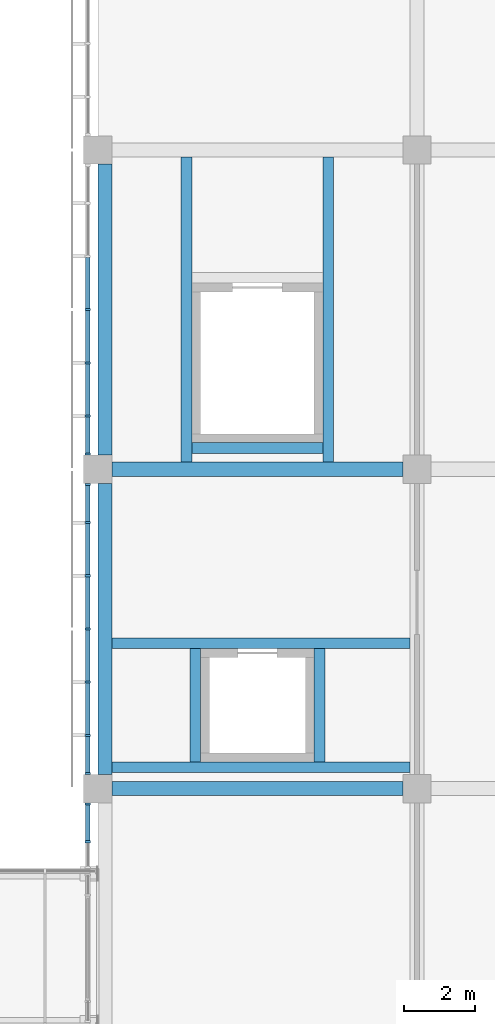
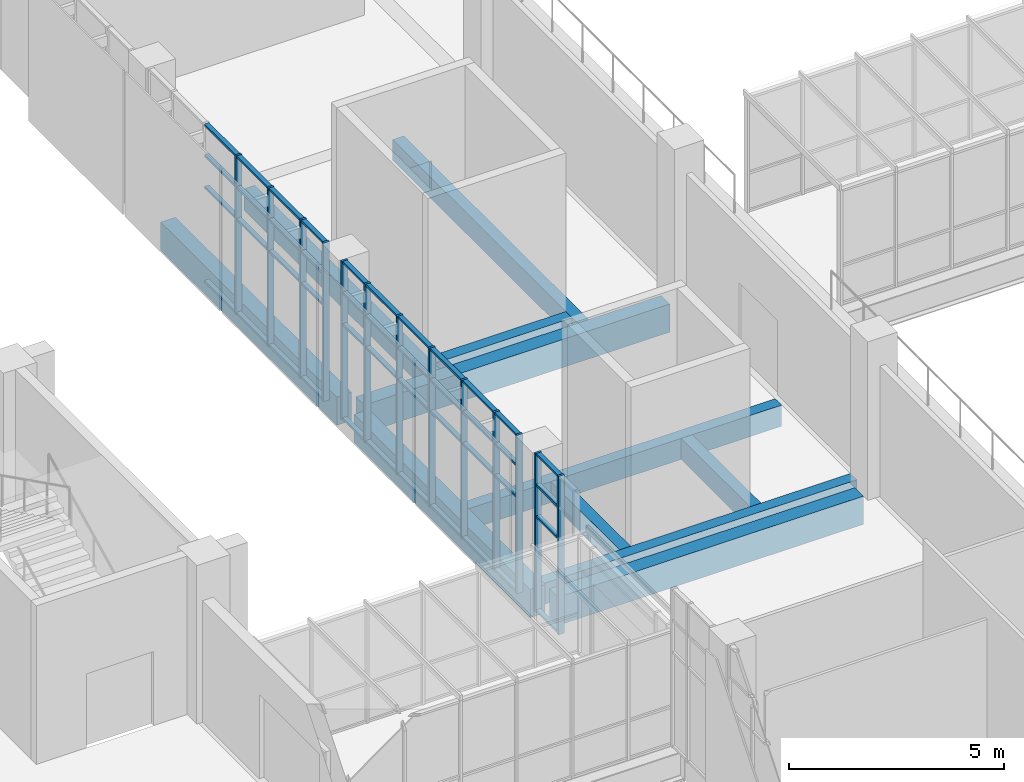
# One storey, part 19 of 88: 57 members, 11 beams, 3 elements without a shape of their own.
"""IFC4 building model written with IfcOpenShell, lengths in metres."""

from ifc_helpers import new_model, si_unit, direction, frame, origin, origin_2d, place, context, subcontext, project, spatial, rectangle, extrude, material, layer, layer_set, material_profile, profile_set, type_object, element, aggregate, save


model = new_model("IFC4")

# Units and contexts
model_context = context("Model", 3, precision=1e-05, world=origin(), true_north=direction((0.0, 1.0)))
body_context = subcontext(model_context, "Body", "Model", "MODEL_VIEW")
ifc_project = project(units=[si_unit("LENGTHUNIT", "METRE"), si_unit("AREAUNIT", "SQUARE_METRE"), si_unit("VOLUMEUNIT", "CUBIC_METRE"), si_unit("PLANEANGLEUNIT", "RADIAN"), si_unit("MASSUNIT", "GRAM", prefix="KILO")], contexts=[model_context])

# Site, building, storey
site_placement = place(None, origin())
site = spatial("IfcSite", under=ifc_project, at=site_placement, CompositionType="ELEMENT")
building_placement = place(site_placement, origin())
building = spatial("IfcBuilding", under=site, at=building_placement, Name="Guidao Yard Department Store", CompositionType="ELEMENT")
storey_placement = place(building_placement, frame((0.0, 0.0, 6.0)))
storey = spatial("IfcBuildingStorey", under=building, at=storey_placement, Name="L01", CompositionType="ELEMENT", Elevation=6.0)

# Beams
ifc_material_1 = material(Name="Concrete C40", Category="concrete")
ifc_material_profile_1 = material_profile(ifc_material_1, rectangle(XDim=0.39990234375, YDim=0.800048828125, at=origin_2d()), Name="Edge beam 400 x 800 C40")
ifc_profile_set_1 = profile_set([ifc_material_profile_1], Name="Concrete C40")
beam_type_1 = type_object("IfcBeamType", Name="Edge beam 400 x 800 C40", PredefinedType="BEAM", material=ifc_profile_set_1)
for number, where, z_axis, x_axis, name in (
    (1, (72.199951171875, 81.39990234375, -0.39990234375), (0.0, 1.0, 0.0), (-1.0, 0.0, 0.0), "Beam EB30"),
    (2, (72.199951171875, 90.39990234375, -0.39990234375), (0.0, 1.0, 0.0), (-1.0, 0.0, 0.0), "Beam EB31"),
    (3, (72.39990234375, 81.0, -0.39990234375), (1.0, 0.0, 0.0), (0.0, 1.0, 0.0), "Beam EB97"),
    (4, (72.39990234375, 90.0, -0.39990234375), (1.0, 0.0, 0.0), (0.0, 1.0, 0.0), "Beam EB98"),
):
    element("IfcBeam", number, at=place(storey_placement, frame(where, z_axis=z_axis, x_axis=x_axis)), inside=storey, type_object=beam_type_1, Name=name, PredefinedType="BEAM", context=body_context, shape_type="SweptSolid", body=[
        extrude(rectangle(XDim=0.39990234375, YDim=0.800048828125, at=origin_2d()), origin(), (0.0, 0.0, 1.0), 8.2001953125),
    ])

# Curtain wall, members
ifc_material_2 = material(Name="Aluminium and glass", Category="aluminium")
ifc_layer = layer(ifc_material_2, 0.159912109375)
ifc_layer_set = layer_set([ifc_layer], Name="Shopfront curtain wall CW1 1500 module")
curtain_wall_type = type_object("IfcCurtainWallType", Name="Shopfront curtain wall CW1 1500 module", PredefinedType="NOTDEFINED", material=ifc_layer_set)
curtain_wall_1_placement = place(storey_placement, origin())
curtain_wall_1 = element("IfcCurtainWall", 5, at=curtain_wall_1_placement, inside=storey, type_object=curtain_wall_type, Name="Arcade shop front", PredefinedType="NOTDEFINED")
ifc_material_3 = material(Name="Aluminium 6063-T5", Category="aluminium")
ifc_material_profile_2 = material_profile(ifc_material_3, rectangle(XDim=0.06005859375, YDim=0.159912109375, at=origin_2d()), Name="Mullion M1 60 x 160 aluminium pressure plate")
ifc_profile_set_2 = profile_set([ifc_material_profile_2], Name="Aluminium 6063-T5")
member_type_1 = type_object("IfcMemberType", Name="Mullion M1 60 x 160 aluminium pressure plate", PredefinedType="MULLION", material=ifc_profile_set_2)
member_1_placement = place(storey_placement, frame((71.719970703125, 79.5, 0.0), z_axis=(0.0, 0.0, 1.0), x_axis=(0.0, 1.0, 0.0)))
member_1 = element("IfcMember", 6, at=member_1_placement, type_object=member_type_1, Name="CW-AS-L01-08 mullion 2", PredefinedType="MULLION", context=body_context, shape_type="SweptSolid", body=[
    extrude(rectangle(XDim=0.06005859375, YDim=0.159912109375, at=origin_2d()), origin(), (0.0, 0.0, 1.0), 4.5),
])
member_2_placement = place(storey_placement, frame((71.719970703125, 80.570068359375, 0.0), z_axis=(0.0, 0.0, 1.0), x_axis=(0.0, 1.0, 0.0)))
member_2 = element("IfcMember", 7, at=member_2_placement, type_object=member_type_1, Name="CW-AS-L01-08 mullion 3", PredefinedType="MULLION", context=body_context, shape_type="SweptSolid", body=[
    extrude(rectangle(XDim=0.06005859375, YDim=0.159912109375, at=origin_2d()), origin(), (0.0, 0.0, 1.0), 4.5),
])

curtain_wall_2_placement = place(storey_placement, origin())
curtain_wall_2 = element("IfcCurtainWall", 8, at=curtain_wall_2_placement, inside=storey, type_object=curtain_wall_type, Name="Arcade shop front", PredefinedType="NOTDEFINED")
member_3_placement = place(storey_placement, frame((71.719970703125, 81.429931640625, 0.0), z_axis=(0.0, 0.0, 1.0), x_axis=(0.0, 1.0, 0.0)))
member_3 = element("IfcMember", 9, at=member_3_placement, type_object=member_type_1, Name="CW-AS-L01-09 mullion 1", PredefinedType="MULLION", context=body_context, shape_type="SweptSolid", body=[
    extrude(rectangle(XDim=0.06005859375, YDim=0.159912109375, at=origin_2d()), origin(), (0.0, 0.0, 1.0), 4.5),
])
member_4_placement = place(storey_placement, frame((71.719970703125, 82.5, 0.0), z_axis=(0.0, 0.0, 1.0), x_axis=(0.0, 1.0, 0.0)))
member_4 = element("IfcMember", 10, at=member_4_placement, type_object=member_type_1, Name="CW-AS-L01-09 mullion 2", PredefinedType="MULLION", context=body_context, shape_type="SweptSolid", body=[
    extrude(rectangle(XDim=0.06005859375, YDim=0.159912109375, at=origin_2d()), origin(), (0.0, 0.0, 1.0), 4.5),
])
member_5_placement = place(storey_placement, frame((71.719970703125, 84.0, 0.0), z_axis=(0.0, 0.0, 1.0), x_axis=(0.0, 1.0, 0.0)))
member_5 = element("IfcMember", 11, at=member_5_placement, type_object=member_type_1, Name="CW-AS-L01-09 mullion 3", PredefinedType="MULLION", context=body_context, shape_type="SweptSolid", body=[
    extrude(rectangle(XDim=0.06005859375, YDim=0.159912109375, at=origin_2d()), origin(), (0.0, 0.0, 1.0), 4.5),
])
member_6_placement = place(storey_placement, frame((71.719970703125, 85.5, 0.0), z_axis=(0.0, 0.0, 1.0), x_axis=(0.0, 1.0, 0.0)))
member_6 = element("IfcMember", 12, at=member_6_placement, type_object=member_type_1, Name="CW-AS-L01-09 mullion 4", PredefinedType="MULLION", context=body_context, shape_type="SweptSolid", body=[
    extrude(rectangle(XDim=0.06005859375, YDim=0.159912109375, at=origin_2d()), origin(), (0.0, 0.0, 1.0), 4.5),
])
member_7_placement = place(storey_placement, frame((71.719970703125, 87.0, 0.0), z_axis=(0.0, 0.0, 1.0), x_axis=(0.0, 1.0, 0.0)))
member_7 = element("IfcMember", 13, at=member_7_placement, type_object=member_type_1, Name="CW-AS-L01-09 mullion 5", PredefinedType="MULLION", context=body_context, shape_type="SweptSolid", body=[
    extrude(rectangle(XDim=0.06005859375, YDim=0.159912109375, at=origin_2d()), origin(), (0.0, 0.0, 1.0), 4.5),
])
member_8_placement = place(storey_placement, frame((71.719970703125, 88.5, 0.0), z_axis=(0.0, 0.0, 1.0), x_axis=(0.0, 1.0, 0.0)))
member_8 = element("IfcMember", 14, at=member_8_placement, type_object=member_type_1, Name="CW-AS-L01-09 mullion 6", PredefinedType="MULLION", context=body_context, shape_type="SweptSolid", body=[
    extrude(rectangle(XDim=0.06005859375, YDim=0.159912109375, at=origin_2d()), origin(), (0.0, 0.0, 1.0), 4.5),
])
member_9_placement = place(storey_placement, frame((71.719970703125, 89.570068359375, 0.0), z_axis=(0.0, 0.0, 1.0), x_axis=(0.0, 1.0, 0.0)))
member_9 = element("IfcMember", 15, at=member_9_placement, type_object=member_type_1, Name="CW-AS-L01-09 mullion 7", PredefinedType="MULLION", context=body_context, shape_type="SweptSolid", body=[
    extrude(rectangle(XDim=0.06005859375, YDim=0.159912109375, at=origin_2d()), origin(), (0.0, 0.0, 1.0), 4.5),
])

curtain_wall_3_placement = place(storey_placement, origin())
curtain_wall_3 = element("IfcCurtainWall", 16, at=curtain_wall_3_placement, inside=storey, type_object=curtain_wall_type, Name="Arcade shop front", PredefinedType="NOTDEFINED")
member_10_placement = place(storey_placement, frame((71.719970703125, 90.429931640625, 0.0), z_axis=(0.0, 0.0, 1.0), x_axis=(0.0, 1.0, 0.0)))
member_10 = element("IfcMember", 17, at=member_10_placement, type_object=member_type_1, Name="CW-AS-L01-10 mullion 1", PredefinedType="MULLION", context=body_context, shape_type="SweptSolid", body=[
    extrude(rectangle(XDim=0.06005859375, YDim=0.159912109375, at=origin_2d()), origin(), (0.0, 0.0, 1.0), 4.5),
])
member_11_placement = place(storey_placement, frame((71.719970703125, 91.5, 0.0), z_axis=(0.0, 0.0, 1.0), x_axis=(0.0, 1.0, 0.0)))
member_11 = element("IfcMember", 18, at=member_11_placement, type_object=member_type_1, Name="CW-AS-L01-10 mullion 2", PredefinedType="MULLION", context=body_context, shape_type="SweptSolid", body=[
    extrude(rectangle(XDim=0.06005859375, YDim=0.159912109375, at=origin_2d()), origin(), (0.0, 0.0, 1.0), 4.5),
])
member_12_placement = place(storey_placement, frame((71.719970703125, 93.0, 0.0), z_axis=(0.0, 0.0, 1.0), x_axis=(0.0, 1.0, 0.0)))
member_12 = element("IfcMember", 19, at=member_12_placement, type_object=member_type_1, Name="CW-AS-L01-10 mullion 3", PredefinedType="MULLION", context=body_context, shape_type="SweptSolid", body=[
    extrude(rectangle(XDim=0.06005859375, YDim=0.159912109375, at=origin_2d()), origin(), (0.0, 0.0, 1.0), 4.5),
])
member_13_placement = place(storey_placement, frame((71.719970703125, 94.5, 0.0), z_axis=(0.0, 0.0, 1.0), x_axis=(0.0, 1.0, 0.0)))
member_13 = element("IfcMember", 20, at=member_13_placement, type_object=member_type_1, Name="CW-AS-L01-10 mullion 4", PredefinedType="MULLION", context=body_context, shape_type="SweptSolid", body=[
    extrude(rectangle(XDim=0.06005859375, YDim=0.159912109375, at=origin_2d()), origin(), (0.0, 0.0, 1.0), 4.5),
])

# Beams
ifc_material_4 = material(Name="Concrete C40", Category="concrete")
ifc_material_profile_3 = material_profile(ifc_material_4, rectangle(XDim=0.300048828125, YDim=0.60009765625, at=origin_2d()), Name="Opening beam 300 x 600 C40")
ifc_profile_set_3 = profile_set([ifc_material_profile_3], Name="Concrete C40")
beam_type_2 = type_object("IfcBeamType", Name="Opening beam 300 x 600 C40", PredefinedType="BEAM", material=ifc_profile_set_3)
for number, where, z_axis, x_axis, name in (
    (21, (72.39990234375, 81.60009765625, -0.300048828125), (1.0, 0.0, 0.0), (0.0, 1.0, 0.0), "Beam OB17"),
    (22, (72.39990234375, 85.10009765625, -0.300048828125), (1.0, 0.0, 0.0), (0.0, 1.0, 0.0), "Beam OB18"),
):
    element("IfcBeam", number, at=place(storey_placement, frame(where, z_axis=z_axis, x_axis=x_axis)), inside=storey, type_object=beam_type_2, Name=name, PredefinedType="BEAM", context=body_context, shape_type="SweptSolid", body=[
        extrude(rectangle(XDim=0.300048828125, YDim=0.60009765625, at=origin_2d()), origin(), (0.0, 0.0, 1.0), 8.400146484375),
    ])
for number, where, z_axis, x_axis, name in (
    (23, (74.75, 81.75, -0.300048828125), (0.0, 1.0, 0.0), (-1.0, 0.0, 0.0), "Beam OB19"),
    (24, (78.25, 81.75, -0.300048828125), (0.0, 1.0, 0.0), (-1.0, 0.0, 0.0), "Beam OB20"),
):
    element("IfcBeam", number, at=place(storey_placement, frame(where, z_axis=z_axis, x_axis=x_axis)), inside=storey, type_object=beam_type_2, Name=name, PredefinedType="BEAM", context=body_context, shape_type="SweptSolid", body=[
        extrude(rectangle(XDim=0.300048828125, YDim=0.60009765625, at=origin_2d()), origin(), (0.0, 0.0, 1.0), 3.199951171875),
    ])
for number, where, z_axis, x_axis, name in (
    (25, (74.5, 90.199951171875, -0.300048828125), (0.0, 1.0, 0.0), (-1.0, 0.0, 0.0), "Beam OB21"),
    (26, (78.5, 90.199951171875, -0.300048828125), (0.0, 1.0, 0.0), (-1.0, 0.0, 0.0), "Beam OB22"),
):
    element("IfcBeam", number, at=place(storey_placement, frame(where, z_axis=z_axis, x_axis=x_axis)), inside=storey, type_object=beam_type_2, Name=name, PredefinedType="BEAM", context=body_context, shape_type="SweptSolid", body=[
        extrude(rectangle(XDim=0.300048828125, YDim=0.60009765625, at=origin_2d()), origin(), (0.0, 0.0, 1.0), 8.60009765625),
    ])
beam_placement = place(storey_placement, frame((74.64990234375, 90.60009765625, -0.300048828125), z_axis=(1.0, 0.0, 0.0), x_axis=(0.0, 1.0, 0.0)))
element("IfcBeam", 27, at=beam_placement, inside=storey, type_object=beam_type_2, Name="Beam OB23", PredefinedType="BEAM", context=body_context, shape_type="SweptSolid", body=[
    extrude(rectangle(XDim=0.300048828125, YDim=0.60009765625, at=origin_2d()), origin(), (0.0, 0.0, 1.0), 3.7001953125),
])

# Member
ifc_material_5 = material(Name="Aluminium 6063-T5", Category="aluminium")
ifc_material_profile_4 = material_profile(ifc_material_5, rectangle(XDim=0.1201171875, YDim=0.06005859375, at=origin_2d()), Name="Transom T1 60 x 120 aluminium pressure plate")
ifc_profile_set_4 = profile_set([ifc_material_profile_4], Name="Aluminium 6063-T5")
member_type_2 = type_object("IfcMemberType", Name="Transom T1 60 x 120 aluminium pressure plate", PredefinedType="USERDEFINED", material=ifc_profile_set_4)
member_14_placement = place(storey_placement, frame((71.719970703125, 79.530029296875, 0.030029296875), z_axis=(0.0, 1.0, 0.0), x_axis=(-1.0, 0.0, 0.0)))
member_14 = element("IfcMember", 28, at=member_14_placement, type_object=member_type_2, Name="CW-AS-L01-08 transom 2.1", ObjectType="TRANSOM", PredefinedType="USERDEFINED", context=body_context, shape_type="SweptSolid", body=[
    extrude(rectangle(XDim=0.1201171875, YDim=0.06005859375, at=origin_2d()), origin(), (0.0, 0.0, 1.0), 1.010009765625),
])

member_15_placement = place(storey_placement, frame((71.719970703125, 79.530029296875, 2.699951171875), z_axis=(0.0, 1.0, 0.0), x_axis=(-1.0, 0.0, 0.0)))
member_15 = element("IfcMember", 29, at=member_15_placement, type_object=member_type_2, Name="CW-AS-L01-08 transom 2.2", ObjectType="TRANSOM", PredefinedType="USERDEFINED", context=body_context, shape_type="SweptSolid", body=[
    extrude(rectangle(XDim=0.1201171875, YDim=0.06005859375, at=origin_2d()), origin(), (0.0, 0.0, 1.0), 1.010009765625),
])

member_16_placement = place(storey_placement, frame((71.719970703125, 79.530029296875, 3.60009765625), z_axis=(0.0, 1.0, 0.0), x_axis=(-1.0, 0.0, 0.0)))
member_16 = element("IfcMember", 30, at=member_16_placement, type_object=member_type_2, Name="CW-AS-L01-08 transom 2.3", ObjectType="TRANSOM", PredefinedType="USERDEFINED", context=body_context, shape_type="SweptSolid", body=[
    extrude(rectangle(XDim=0.1201171875, YDim=0.06005859375, at=origin_2d()), origin(), (0.0, 0.0, 1.0), 1.010009765625),
])

member_17_placement = place(storey_placement, frame((71.719970703125, 79.530029296875, 4.469970703125), z_axis=(0.0, 1.0, 0.0), x_axis=(-1.0, 0.0, 0.0)))
member_17 = element("IfcMember", 31, at=member_17_placement, type_object=member_type_2, Name="CW-AS-L01-08 transom 2.4", ObjectType="TRANSOM", PredefinedType="USERDEFINED", context=body_context, shape_type="SweptSolid", body=[
    extrude(rectangle(XDim=0.1201171875, YDim=0.06005859375, at=origin_2d()), origin(), (0.0, 0.0, 1.0), 1.010009765625),
])

aggregate(curtain_wall_1, [member_1, member_2, member_14, member_15, member_16, member_17])

member_18_placement = place(storey_placement, frame((71.719970703125, 81.4599609375, 0.030029296875), z_axis=(0.0, 1.0, 0.0), x_axis=(-1.0, 0.0, 0.0)))
member_18 = element("IfcMember", 32, at=member_18_placement, type_object=member_type_2, Name="CW-AS-L01-09 transom 1.1", ObjectType="TRANSOM", PredefinedType="USERDEFINED", context=body_context, shape_type="SweptSolid", body=[
    extrude(rectangle(XDim=0.1201171875, YDim=0.06005859375, at=origin_2d()), origin(), (0.0, 0.0, 1.0), 1.010009765625),
])

member_19_placement = place(storey_placement, frame((71.719970703125, 81.4599609375, 2.699951171875), z_axis=(0.0, 1.0, 0.0), x_axis=(-1.0, 0.0, 0.0)))
member_19 = element("IfcMember", 33, at=member_19_placement, type_object=member_type_2, Name="CW-AS-L01-09 transom 1.2", ObjectType="TRANSOM", PredefinedType="USERDEFINED", context=body_context, shape_type="SweptSolid", body=[
    extrude(rectangle(XDim=0.1201171875, YDim=0.06005859375, at=origin_2d()), origin(), (0.0, 0.0, 1.0), 1.010009765625),
])

member_20_placement = place(storey_placement, frame((71.719970703125, 81.4599609375, 3.60009765625), z_axis=(0.0, 1.0, 0.0), x_axis=(-1.0, 0.0, 0.0)))
member_20 = element("IfcMember", 34, at=member_20_placement, type_object=member_type_2, Name="CW-AS-L01-09 transom 1.3", ObjectType="TRANSOM", PredefinedType="USERDEFINED", context=body_context, shape_type="SweptSolid", body=[
    extrude(rectangle(XDim=0.1201171875, YDim=0.06005859375, at=origin_2d()), origin(), (0.0, 0.0, 1.0), 1.010009765625),
])

member_21_placement = place(storey_placement, frame((71.719970703125, 81.4599609375, 4.469970703125), z_axis=(0.0, 1.0, 0.0), x_axis=(-1.0, 0.0, 0.0)))
member_21 = element("IfcMember", 35, at=member_21_placement, type_object=member_type_2, Name="CW-AS-L01-09 transom 1.4", ObjectType="TRANSOM", PredefinedType="USERDEFINED", context=body_context, shape_type="SweptSolid", body=[
    extrude(rectangle(XDim=0.1201171875, YDim=0.06005859375, at=origin_2d()), origin(), (0.0, 0.0, 1.0), 1.010009765625),
])

member_22_placement = place(storey_placement, frame((71.719970703125, 82.530029296875, 0.030029296875), z_axis=(0.0, 1.0, 0.0), x_axis=(-1.0, 0.0, 0.0)))
member_22 = element("IfcMember", 36, at=member_22_placement, type_object=member_type_2, Name="CW-AS-L01-09 transom 2.1", ObjectType="TRANSOM", PredefinedType="USERDEFINED", context=body_context, shape_type="SweptSolid", body=[
    extrude(rectangle(XDim=0.1201171875, YDim=0.06005859375, at=origin_2d()), origin(), (0.0, 0.0, 1.0), 1.43994140625),
])

member_23_placement = place(storey_placement, frame((71.719970703125, 82.530029296875, 2.699951171875), z_axis=(0.0, 1.0, 0.0), x_axis=(-1.0, 0.0, 0.0)))
member_23 = element("IfcMember", 37, at=member_23_placement, type_object=member_type_2, Name="CW-AS-L01-09 transom 2.2", ObjectType="TRANSOM", PredefinedType="USERDEFINED", context=body_context, shape_type="SweptSolid", body=[
    extrude(rectangle(XDim=0.1201171875, YDim=0.06005859375, at=origin_2d()), origin(), (0.0, 0.0, 1.0), 1.43994140625),
])

member_24_placement = place(storey_placement, frame((71.719970703125, 82.530029296875, 3.60009765625), z_axis=(0.0, 1.0, 0.0), x_axis=(-1.0, 0.0, 0.0)))
member_24 = element("IfcMember", 38, at=member_24_placement, type_object=member_type_2, Name="CW-AS-L01-09 transom 2.3", ObjectType="TRANSOM", PredefinedType="USERDEFINED", context=body_context, shape_type="SweptSolid", body=[
    extrude(rectangle(XDim=0.1201171875, YDim=0.06005859375, at=origin_2d()), origin(), (0.0, 0.0, 1.0), 1.43994140625),
])

member_25_placement = place(storey_placement, frame((71.719970703125, 82.530029296875, 4.469970703125), z_axis=(0.0, 1.0, 0.0), x_axis=(-1.0, 0.0, 0.0)))
member_25 = element("IfcMember", 39, at=member_25_placement, type_object=member_type_2, Name="CW-AS-L01-09 transom 2.4", ObjectType="TRANSOM", PredefinedType="USERDEFINED", context=body_context, shape_type="SweptSolid", body=[
    extrude(rectangle(XDim=0.1201171875, YDim=0.06005859375, at=origin_2d()), origin(), (0.0, 0.0, 1.0), 1.43994140625),
])

member_26_placement = place(storey_placement, frame((71.719970703125, 84.030029296875, 0.030029296875), z_axis=(0.0, 1.0, 0.0), x_axis=(-1.0, 0.0, 0.0)))
member_26 = element("IfcMember", 40, at=member_26_placement, type_object=member_type_2, Name="CW-AS-L01-09 transom 3.1", ObjectType="TRANSOM", PredefinedType="USERDEFINED", context=body_context, shape_type="SweptSolid", body=[
    extrude(rectangle(XDim=0.1201171875, YDim=0.06005859375, at=origin_2d()), origin(), (0.0, 0.0, 1.0), 1.43994140625),
])

member_27_placement = place(storey_placement, frame((71.719970703125, 84.030029296875, 2.699951171875), z_axis=(0.0, 1.0, 0.0), x_axis=(-1.0, 0.0, 0.0)))
member_27 = element("IfcMember", 41, at=member_27_placement, type_object=member_type_2, Name="CW-AS-L01-09 transom 3.2", ObjectType="TRANSOM", PredefinedType="USERDEFINED", context=body_context, shape_type="SweptSolid", body=[
    extrude(rectangle(XDim=0.1201171875, YDim=0.06005859375, at=origin_2d()), origin(), (0.0, 0.0, 1.0), 1.43994140625),
])

member_28_placement = place(storey_placement, frame((71.719970703125, 84.030029296875, 3.60009765625), z_axis=(0.0, 1.0, 0.0), x_axis=(-1.0, 0.0, 0.0)))
member_28 = element("IfcMember", 42, at=member_28_placement, type_object=member_type_2, Name="CW-AS-L01-09 transom 3.3", ObjectType="TRANSOM", PredefinedType="USERDEFINED", context=body_context, shape_type="SweptSolid", body=[
    extrude(rectangle(XDim=0.1201171875, YDim=0.06005859375, at=origin_2d()), origin(), (0.0, 0.0, 1.0), 1.43994140625),
])

member_29_placement = place(storey_placement, frame((71.719970703125, 84.030029296875, 4.469970703125), z_axis=(0.0, 1.0, 0.0), x_axis=(-1.0, 0.0, 0.0)))
member_29 = element("IfcMember", 43, at=member_29_placement, type_object=member_type_2, Name="CW-AS-L01-09 transom 3.4", ObjectType="TRANSOM", PredefinedType="USERDEFINED", context=body_context, shape_type="SweptSolid", body=[
    extrude(rectangle(XDim=0.1201171875, YDim=0.06005859375, at=origin_2d()), origin(), (0.0, 0.0, 1.0), 1.43994140625),
])

member_30_placement = place(storey_placement, frame((71.719970703125, 85.530029296875, 0.030029296875), z_axis=(0.0, 1.0, 0.0), x_axis=(-1.0, 0.0, 0.0)))
member_30 = element("IfcMember", 44, at=member_30_placement, type_object=member_type_2, Name="CW-AS-L01-09 transom 4.1", ObjectType="TRANSOM", PredefinedType="USERDEFINED", context=body_context, shape_type="SweptSolid", body=[
    extrude(rectangle(XDim=0.1201171875, YDim=0.06005859375, at=origin_2d()), origin(), (0.0, 0.0, 1.0), 1.43994140625),
])

member_31_placement = place(storey_placement, frame((71.719970703125, 85.530029296875, 2.699951171875), z_axis=(0.0, 1.0, 0.0), x_axis=(-1.0, 0.0, 0.0)))
member_31 = element("IfcMember", 45, at=member_31_placement, type_object=member_type_2, Name="CW-AS-L01-09 transom 4.2", ObjectType="TRANSOM", PredefinedType="USERDEFINED", context=body_context, shape_type="SweptSolid", body=[
    extrude(rectangle(XDim=0.1201171875, YDim=0.06005859375, at=origin_2d()), origin(), (0.0, 0.0, 1.0), 1.43994140625),
])

member_32_placement = place(storey_placement, frame((71.719970703125, 85.530029296875, 3.60009765625), z_axis=(0.0, 1.0, 0.0), x_axis=(-1.0, 0.0, 0.0)))
member_32 = element("IfcMember", 46, at=member_32_placement, type_object=member_type_2, Name="CW-AS-L01-09 transom 4.3", ObjectType="TRANSOM", PredefinedType="USERDEFINED", context=body_context, shape_type="SweptSolid", body=[
    extrude(rectangle(XDim=0.1201171875, YDim=0.06005859375, at=origin_2d()), origin(), (0.0, 0.0, 1.0), 1.43994140625),
])

member_33_placement = place(storey_placement, frame((71.719970703125, 85.530029296875, 4.469970703125), z_axis=(0.0, 1.0, 0.0), x_axis=(-1.0, 0.0, 0.0)))
member_33 = element("IfcMember", 47, at=member_33_placement, type_object=member_type_2, Name="CW-AS-L01-09 transom 4.4", ObjectType="TRANSOM", PredefinedType="USERDEFINED", context=body_context, shape_type="SweptSolid", body=[
    extrude(rectangle(XDim=0.1201171875, YDim=0.06005859375, at=origin_2d()), origin(), (0.0, 0.0, 1.0), 1.43994140625),
])

member_34_placement = place(storey_placement, frame((71.719970703125, 87.030029296875, 0.030029296875), z_axis=(0.0, 1.0, 0.0), x_axis=(-1.0, 0.0, 0.0)))
member_34 = element("IfcMember", 48, at=member_34_placement, type_object=member_type_2, Name="CW-AS-L01-09 transom 5.1", ObjectType="TRANSOM", PredefinedType="USERDEFINED", context=body_context, shape_type="SweptSolid", body=[
    extrude(rectangle(XDim=0.1201171875, YDim=0.06005859375, at=origin_2d()), origin(), (0.0, 0.0, 1.0), 1.43994140625),
])

member_35_placement = place(storey_placement, frame((71.719970703125, 87.030029296875, 2.699951171875), z_axis=(0.0, 1.0, 0.0), x_axis=(-1.0, 0.0, 0.0)))
member_35 = element("IfcMember", 49, at=member_35_placement, type_object=member_type_2, Name="CW-AS-L01-09 transom 5.2", ObjectType="TRANSOM", PredefinedType="USERDEFINED", context=body_context, shape_type="SweptSolid", body=[
    extrude(rectangle(XDim=0.1201171875, YDim=0.06005859375, at=origin_2d()), origin(), (0.0, 0.0, 1.0), 1.43994140625),
])

member_36_placement = place(storey_placement, frame((71.719970703125, 87.030029296875, 3.60009765625), z_axis=(0.0, 1.0, 0.0), x_axis=(-1.0, 0.0, 0.0)))
member_36 = element("IfcMember", 50, at=member_36_placement, type_object=member_type_2, Name="CW-AS-L01-09 transom 5.3", ObjectType="TRANSOM", PredefinedType="USERDEFINED", context=body_context, shape_type="SweptSolid", body=[
    extrude(rectangle(XDim=0.1201171875, YDim=0.06005859375, at=origin_2d()), origin(), (0.0, 0.0, 1.0), 1.43994140625),
])

member_37_placement = place(storey_placement, frame((71.719970703125, 87.030029296875, 4.469970703125), z_axis=(0.0, 1.0, 0.0), x_axis=(-1.0, 0.0, 0.0)))
member_37 = element("IfcMember", 51, at=member_37_placement, type_object=member_type_2, Name="CW-AS-L01-09 transom 5.4", ObjectType="TRANSOM", PredefinedType="USERDEFINED", context=body_context, shape_type="SweptSolid", body=[
    extrude(rectangle(XDim=0.1201171875, YDim=0.06005859375, at=origin_2d()), origin(), (0.0, 0.0, 1.0), 1.43994140625),
])

member_38_placement = place(storey_placement, frame((71.719970703125, 88.530029296875, 0.030029296875), z_axis=(0.0, 1.0, 0.0), x_axis=(-1.0, 0.0, 0.0)))
member_38 = element("IfcMember", 52, at=member_38_placement, type_object=member_type_2, Name="CW-AS-L01-09 transom 6.1", ObjectType="TRANSOM", PredefinedType="USERDEFINED", context=body_context, shape_type="SweptSolid", body=[
    extrude(rectangle(XDim=0.1201171875, YDim=0.06005859375, at=origin_2d()), origin(), (0.0, 0.0, 1.0), 1.010009765625),
])

member_39_placement = place(storey_placement, frame((71.719970703125, 88.530029296875, 2.699951171875), z_axis=(0.0, 1.0, 0.0), x_axis=(-1.0, 0.0, 0.0)))
member_39 = element("IfcMember", 53, at=member_39_placement, type_object=member_type_2, Name="CW-AS-L01-09 transom 6.2", ObjectType="TRANSOM", PredefinedType="USERDEFINED", context=body_context, shape_type="SweptSolid", body=[
    extrude(rectangle(XDim=0.1201171875, YDim=0.06005859375, at=origin_2d()), origin(), (0.0, 0.0, 1.0), 1.010009765625),
])

member_40_placement = place(storey_placement, frame((71.719970703125, 88.530029296875, 3.60009765625), z_axis=(0.0, 1.0, 0.0), x_axis=(-1.0, 0.0, 0.0)))
member_40 = element("IfcMember", 54, at=member_40_placement, type_object=member_type_2, Name="CW-AS-L01-09 transom 6.3", ObjectType="TRANSOM", PredefinedType="USERDEFINED", context=body_context, shape_type="SweptSolid", body=[
    extrude(rectangle(XDim=0.1201171875, YDim=0.06005859375, at=origin_2d()), origin(), (0.0, 0.0, 1.0), 1.010009765625),
])

member_41_placement = place(storey_placement, frame((71.719970703125, 88.530029296875, 4.469970703125), z_axis=(0.0, 1.0, 0.0), x_axis=(-1.0, 0.0, 0.0)))
member_41 = element("IfcMember", 55, at=member_41_placement, type_object=member_type_2, Name="CW-AS-L01-09 transom 6.4", ObjectType="TRANSOM", PredefinedType="USERDEFINED", context=body_context, shape_type="SweptSolid", body=[
    extrude(rectangle(XDim=0.1201171875, YDim=0.06005859375, at=origin_2d()), origin(), (0.0, 0.0, 1.0), 1.010009765625),
])

aggregate(curtain_wall_2, [member_3, member_4, member_5, member_6, member_7, member_8, member_9, member_18, member_19, member_20, member_21, member_22, member_23, member_24, member_25, member_26, member_27, member_28, member_29, member_30, member_31, member_32, member_33, member_34, member_35, member_36, member_37, member_38, member_39, member_40, member_41])

member_42_placement = place(storey_placement, frame((71.719970703125, 90.4599609375, 0.030029296875), z_axis=(0.0, 1.0, 0.0), x_axis=(-1.0, 0.0, 0.0)))
member_42 = element("IfcMember", 56, at=member_42_placement, type_object=member_type_2, Name="CW-AS-L01-10 transom 1.1", ObjectType="TRANSOM", PredefinedType="USERDEFINED", context=body_context, shape_type="SweptSolid", body=[
    extrude(rectangle(XDim=0.1201171875, YDim=0.06005859375, at=origin_2d()), origin(), (0.0, 0.0, 1.0), 1.010009765625),
])

member_43_placement = place(storey_placement, frame((71.719970703125, 90.4599609375, 2.699951171875), z_axis=(0.0, 1.0, 0.0), x_axis=(-1.0, 0.0, 0.0)))
member_43 = element("IfcMember", 57, at=member_43_placement, type_object=member_type_2, Name="CW-AS-L01-10 transom 1.2", ObjectType="TRANSOM", PredefinedType="USERDEFINED", context=body_context, shape_type="SweptSolid", body=[
    extrude(rectangle(XDim=0.1201171875, YDim=0.06005859375, at=origin_2d()), origin(), (0.0, 0.0, 1.0), 1.010009765625),
])

member_44_placement = place(storey_placement, frame((71.719970703125, 90.4599609375, 3.60009765625), z_axis=(0.0, 1.0, 0.0), x_axis=(-1.0, 0.0, 0.0)))
member_44 = element("IfcMember", 58, at=member_44_placement, type_object=member_type_2, Name="CW-AS-L01-10 transom 1.3", ObjectType="TRANSOM", PredefinedType="USERDEFINED", context=body_context, shape_type="SweptSolid", body=[
    extrude(rectangle(XDim=0.1201171875, YDim=0.06005859375, at=origin_2d()), origin(), (0.0, 0.0, 1.0), 1.010009765625),
])

member_45_placement = place(storey_placement, frame((71.719970703125, 90.4599609375, 4.469970703125), z_axis=(0.0, 1.0, 0.0), x_axis=(-1.0, 0.0, 0.0)))
member_45 = element("IfcMember", 59, at=member_45_placement, type_object=member_type_2, Name="CW-AS-L01-10 transom 1.4", ObjectType="TRANSOM", PredefinedType="USERDEFINED", context=body_context, shape_type="SweptSolid", body=[
    extrude(rectangle(XDim=0.1201171875, YDim=0.06005859375, at=origin_2d()), origin(), (0.0, 0.0, 1.0), 1.010009765625),
])

member_46_placement = place(storey_placement, frame((71.719970703125, 91.530029296875, 0.030029296875), z_axis=(0.0, 1.0, 0.0), x_axis=(-1.0, 0.0, 0.0)))
member_46 = element("IfcMember", 60, at=member_46_placement, type_object=member_type_2, Name="CW-AS-L01-10 transom 2.1", ObjectType="TRANSOM", PredefinedType="USERDEFINED", context=body_context, shape_type="SweptSolid", body=[
    extrude(rectangle(XDim=0.1201171875, YDim=0.06005859375, at=origin_2d()), origin(), (0.0, 0.0, 1.0), 1.43994140625),
])

member_47_placement = place(storey_placement, frame((71.719970703125, 91.530029296875, 2.699951171875), z_axis=(0.0, 1.0, 0.0), x_axis=(-1.0, 0.0, 0.0)))
member_47 = element("IfcMember", 61, at=member_47_placement, type_object=member_type_2, Name="CW-AS-L01-10 transom 2.2", ObjectType="TRANSOM", PredefinedType="USERDEFINED", context=body_context, shape_type="SweptSolid", body=[
    extrude(rectangle(XDim=0.1201171875, YDim=0.06005859375, at=origin_2d()), origin(), (0.0, 0.0, 1.0), 1.43994140625),
])

member_48_placement = place(storey_placement, frame((71.719970703125, 91.530029296875, 3.60009765625), z_axis=(0.0, 1.0, 0.0), x_axis=(-1.0, 0.0, 0.0)))
member_48 = element("IfcMember", 62, at=member_48_placement, type_object=member_type_2, Name="CW-AS-L01-10 transom 2.3", ObjectType="TRANSOM", PredefinedType="USERDEFINED", context=body_context, shape_type="SweptSolid", body=[
    extrude(rectangle(XDim=0.1201171875, YDim=0.06005859375, at=origin_2d()), origin(), (0.0, 0.0, 1.0), 1.43994140625),
])

member_49_placement = place(storey_placement, frame((71.719970703125, 91.530029296875, 4.469970703125), z_axis=(0.0, 1.0, 0.0), x_axis=(-1.0, 0.0, 0.0)))
member_49 = element("IfcMember", 63, at=member_49_placement, type_object=member_type_2, Name="CW-AS-L01-10 transom 2.4", ObjectType="TRANSOM", PredefinedType="USERDEFINED", context=body_context, shape_type="SweptSolid", body=[
    extrude(rectangle(XDim=0.1201171875, YDim=0.06005859375, at=origin_2d()), origin(), (0.0, 0.0, 1.0), 1.43994140625),
])

member_50_placement = place(storey_placement, frame((71.719970703125, 93.030029296875, 0.030029296875), z_axis=(0.0, 1.0, 0.0), x_axis=(-1.0, 0.0, 0.0)))
member_50 = element("IfcMember", 64, at=member_50_placement, type_object=member_type_2, Name="CW-AS-L01-10 transom 3.1", ObjectType="TRANSOM", PredefinedType="USERDEFINED", context=body_context, shape_type="SweptSolid", body=[
    extrude(rectangle(XDim=0.1201171875, YDim=0.06005859375, at=origin_2d()), origin(), (0.0, 0.0, 1.0), 1.43994140625),
])

member_51_placement = place(storey_placement, frame((71.719970703125, 93.030029296875, 2.699951171875), z_axis=(0.0, 1.0, 0.0), x_axis=(-1.0, 0.0, 0.0)))
member_51 = element("IfcMember", 65, at=member_51_placement, type_object=member_type_2, Name="CW-AS-L01-10 transom 3.2", ObjectType="TRANSOM", PredefinedType="USERDEFINED", context=body_context, shape_type="SweptSolid", body=[
    extrude(rectangle(XDim=0.1201171875, YDim=0.06005859375, at=origin_2d()), origin(), (0.0, 0.0, 1.0), 1.43994140625),
])

member_52_placement = place(storey_placement, frame((71.719970703125, 93.030029296875, 3.60009765625), z_axis=(0.0, 1.0, 0.0), x_axis=(-1.0, 0.0, 0.0)))
member_52 = element("IfcMember", 66, at=member_52_placement, type_object=member_type_2, Name="CW-AS-L01-10 transom 3.3", ObjectType="TRANSOM", PredefinedType="USERDEFINED", context=body_context, shape_type="SweptSolid", body=[
    extrude(rectangle(XDim=0.1201171875, YDim=0.06005859375, at=origin_2d()), origin(), (0.0, 0.0, 1.0), 1.43994140625),
])

member_53_placement = place(storey_placement, frame((71.719970703125, 93.030029296875, 4.469970703125), z_axis=(0.0, 1.0, 0.0), x_axis=(-1.0, 0.0, 0.0)))
member_53 = element("IfcMember", 67, at=member_53_placement, type_object=member_type_2, Name="CW-AS-L01-10 transom 3.4", ObjectType="TRANSOM", PredefinedType="USERDEFINED", context=body_context, shape_type="SweptSolid", body=[
    extrude(rectangle(XDim=0.1201171875, YDim=0.06005859375, at=origin_2d()), origin(), (0.0, 0.0, 1.0), 1.43994140625),
])

member_54_placement = place(storey_placement, frame((71.719970703125, 94.530029296875, 0.030029296875), z_axis=(0.0, 1.0, 0.0), x_axis=(-1.0, 0.0, 0.0)))
member_54 = element("IfcMember", 68, at=member_54_placement, type_object=member_type_2, Name="CW-AS-L01-10 transom 4.1", ObjectType="TRANSOM", PredefinedType="USERDEFINED", context=body_context, shape_type="SweptSolid", body=[
    extrude(rectangle(XDim=0.1201171875, YDim=0.06005859375, at=origin_2d()), origin(), (0.0, 0.0, 1.0), 1.43994140625),
])

member_55_placement = place(storey_placement, frame((71.719970703125, 94.530029296875, 2.699951171875), z_axis=(0.0, 1.0, 0.0), x_axis=(-1.0, 0.0, 0.0)))
member_55 = element("IfcMember", 69, at=member_55_placement, type_object=member_type_2, Name="CW-AS-L01-10 transom 4.2", ObjectType="TRANSOM", PredefinedType="USERDEFINED", context=body_context, shape_type="SweptSolid", body=[
    extrude(rectangle(XDim=0.1201171875, YDim=0.06005859375, at=origin_2d()), origin(), (0.0, 0.0, 1.0), 1.43994140625),
])

member_56_placement = place(storey_placement, frame((71.719970703125, 94.530029296875, 3.60009765625), z_axis=(0.0, 1.0, 0.0), x_axis=(-1.0, 0.0, 0.0)))
member_56 = element("IfcMember", 70, at=member_56_placement, type_object=member_type_2, Name="CW-AS-L01-10 transom 4.3", ObjectType="TRANSOM", PredefinedType="USERDEFINED", context=body_context, shape_type="SweptSolid", body=[
    extrude(rectangle(XDim=0.1201171875, YDim=0.06005859375, at=origin_2d()), origin(), (0.0, 0.0, 1.0), 1.43994140625),
])

member_57_placement = place(storey_placement, frame((71.719970703125, 94.530029296875, 4.469970703125), z_axis=(0.0, 1.0, 0.0), x_axis=(-1.0, 0.0, 0.0)))
member_57 = element("IfcMember", 71, at=member_57_placement, type_object=member_type_2, Name="CW-AS-L01-10 transom 4.4", ObjectType="TRANSOM", PredefinedType="USERDEFINED", context=body_context, shape_type="SweptSolid", body=[
    extrude(rectangle(XDim=0.1201171875, YDim=0.06005859375, at=origin_2d()), origin(), (0.0, 0.0, 1.0), 1.43994140625),
])

aggregate(curtain_wall_3, [member_10, member_11, member_12, member_13, member_42, member_43, member_44, member_45, member_46, member_47, member_48, member_49, member_50, member_51, member_52, member_53, member_54, member_55, member_56, member_57])

save(model, "model.ifc")
